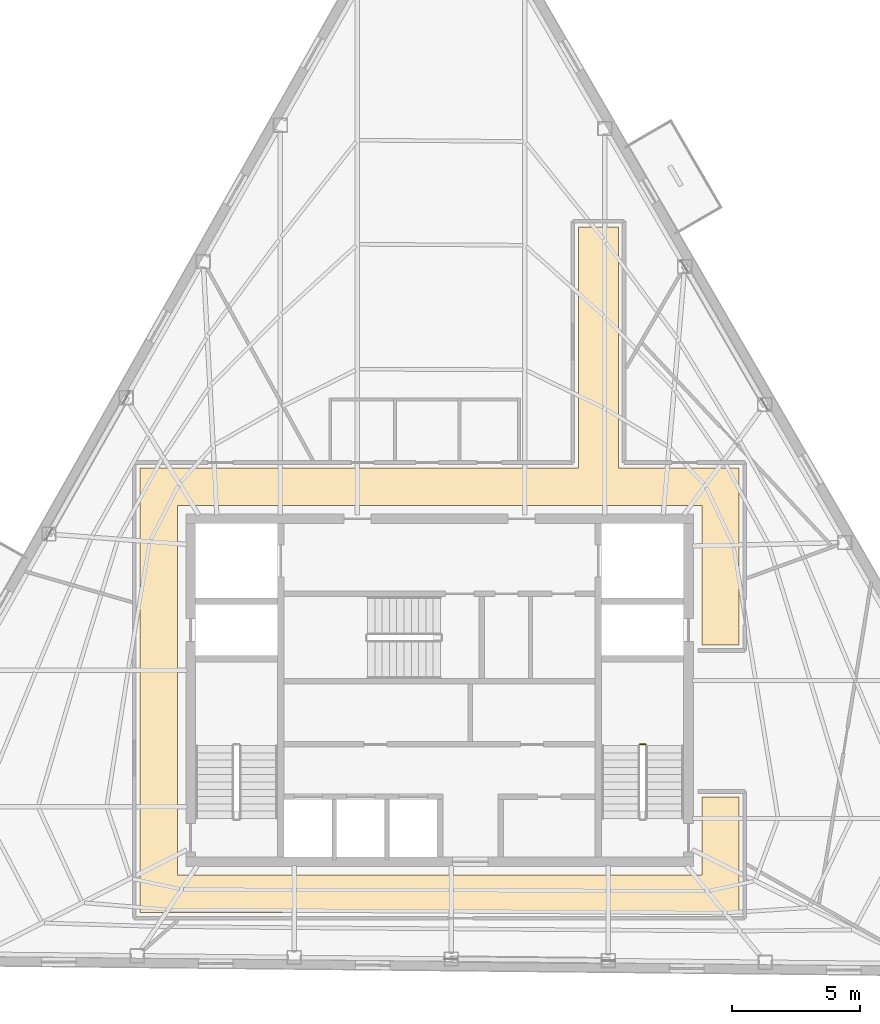
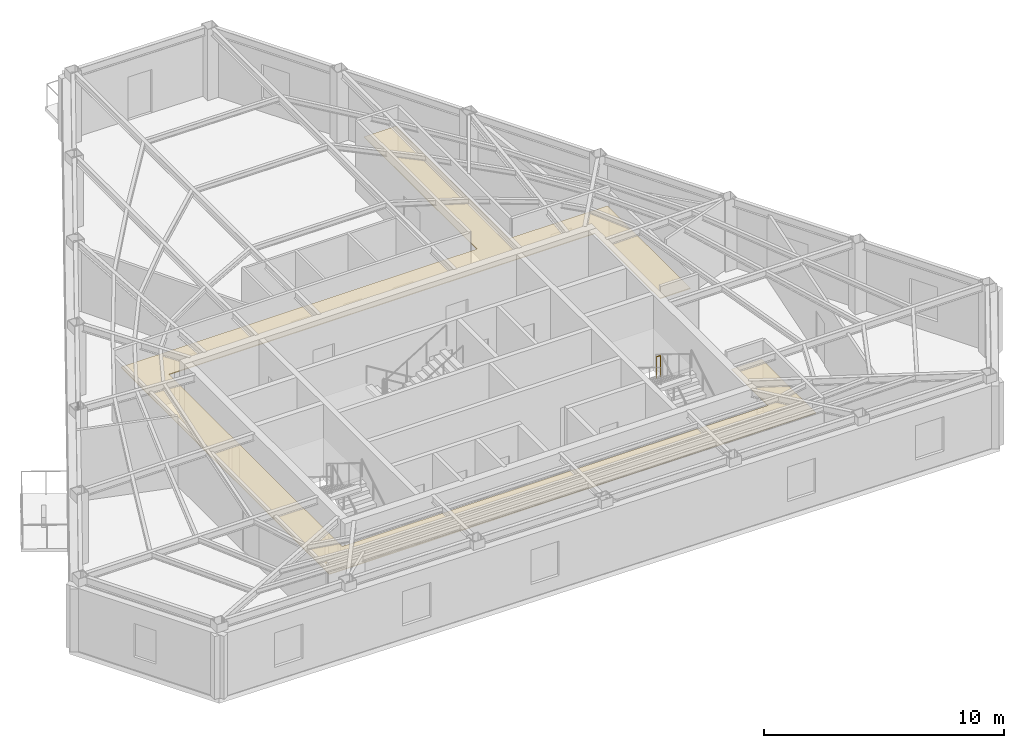
# One storey, part 9 of 10: 1 covering, 1 railing.
"""IFC4 building model written with IfcOpenShell, lengths in metres."""

from ifc_helpers import new_model, si_unit, direction, frame, origin, origin_2d, place, context, subcontext, project, spatial, polyline, circle, outline, extrude, material, layer, layer_set, type_object, element, save


model = new_model("IFC4")

# Units and contexts
model_context = context("Model", 3, precision=1e-05, world=origin(), true_north=direction((0.0, 1.0)))
body_context = subcontext(model_context, "Body", "Model", "MODEL_VIEW")
ifc_project = project(units=[si_unit("LENGTHUNIT", "METRE"), si_unit("AREAUNIT", "SQUARE_METRE"), si_unit("VOLUMEUNIT", "CUBIC_METRE"), si_unit("PLANEANGLEUNIT", "RADIAN"), si_unit("MASSUNIT", "GRAM", prefix="KILO")], contexts=[model_context])

# Site, building, storey
site_placement = place(None, origin())
site = spatial("IfcSite", under=ifc_project, at=site_placement, CompositionType="ELEMENT")
building_placement = place(site_placement, origin())
building = spatial("IfcBuilding", under=site, at=building_placement, Name="Kavelnor Concourse Tower", CompositionType="ELEMENT")
storey_placement = place(building_placement, frame((0.0, 0.0, 247.199951171875)))
storey = spatial("IfcBuildingStorey", under=building, at=storey_placement, Name="L62", CompositionType="ELEMENT", Elevation=247.199951171875)

# Covering
ifc_material_1 = material(Name="Mineral fibre acoustic ceiling tile")
ifc_layer = layer(ifc_material_1, 0.0400390625, Name="Mineral fibre acoustic ceiling tile")
ifc_layer_set = layer_set([ifc_layer], Name="Mineral fibre acoustic ceiling tile")
covering_type = type_object("IfcCoveringType", Name="COV-CEILING-ACOUSTIC", PredefinedType="CEILING", material=ifc_layer_set)
covering_placement = place(storey_placement, frame((0.0, 0.0, 2.75)))
element("IfcCovering", 1, at=covering_placement, inside=storey, type_object=covering_type, Name="L62 Suspended Acoustic Ceiling", PredefinedType="CEILING", context=body_context, shape_type="SweptSolid", body=[
    extrude(outline(polyline([(44.97998046875, 24.77001953125), (49.68994140625, 24.77001953125), (49.68994140625, 17.8701171875), (48.22998046875, 17.8701171875), (48.22998046875, 23.31005859375), (27.77001953125, 23.31005859375), (27.77001953125, 8.889892578125), (48.22998046875, 8.889892578125), (48.22998046875, 11.929931640625), (49.68994140625, 11.929931640625), (49.68994140625, 7.429931640625), (26.31005859375, 7.429931640625), (26.31005859375, 24.77001953125), (43.419921875, 24.77001953125), (43.419921875, 34.179931640625), (44.97998046875, 34.179931640625), (44.97998046875, 24.77001953125)])), origin(), (0.0, 0.0, 1.0), 0.0400390625),
])

# Railing
ifc_material_2 = material(Name="Steel Grade 350", Category="steel")
railing_type = type_object("IfcRailingType", Name="RLG-GUARD-1100", PredefinedType="GUARDRAIL", material=ifc_material_2)
railing_placement = place(storey_placement, frame((46.02001953125, 14.0, 1.925048828125)))
element("IfcRailing", 2, at=railing_placement, inside=storey, type_object=railing_type, Name="L62 ST2 stair guard 2", PredefinedType="GUARDRAIL", context=body_context, shape_type="SweptSolid", body=[
    extrude(circle(Radius=0.02392578125, at=origin_2d()), frame((0.0, 0.0, 1.076171875), z_axis=(-1.0, 0.0, 0.0), x_axis=(0.0, -1.0, 0.0)), (0.0, 0.0, 1.0), 0.199951171875),
    extrude(circle(Radius=0.02099609375, at=origin_2d()), origin(), (0.0, 0.0, 1.0), 1.052001953125),
    extrude(circle(Radius=0.02099609375, at=origin_2d()), frame((-0.199951171875, 0.0, 0.0)), (0.0, 0.0, 1.0), 1.052001953125),
])

save(model, "model.ifc")
